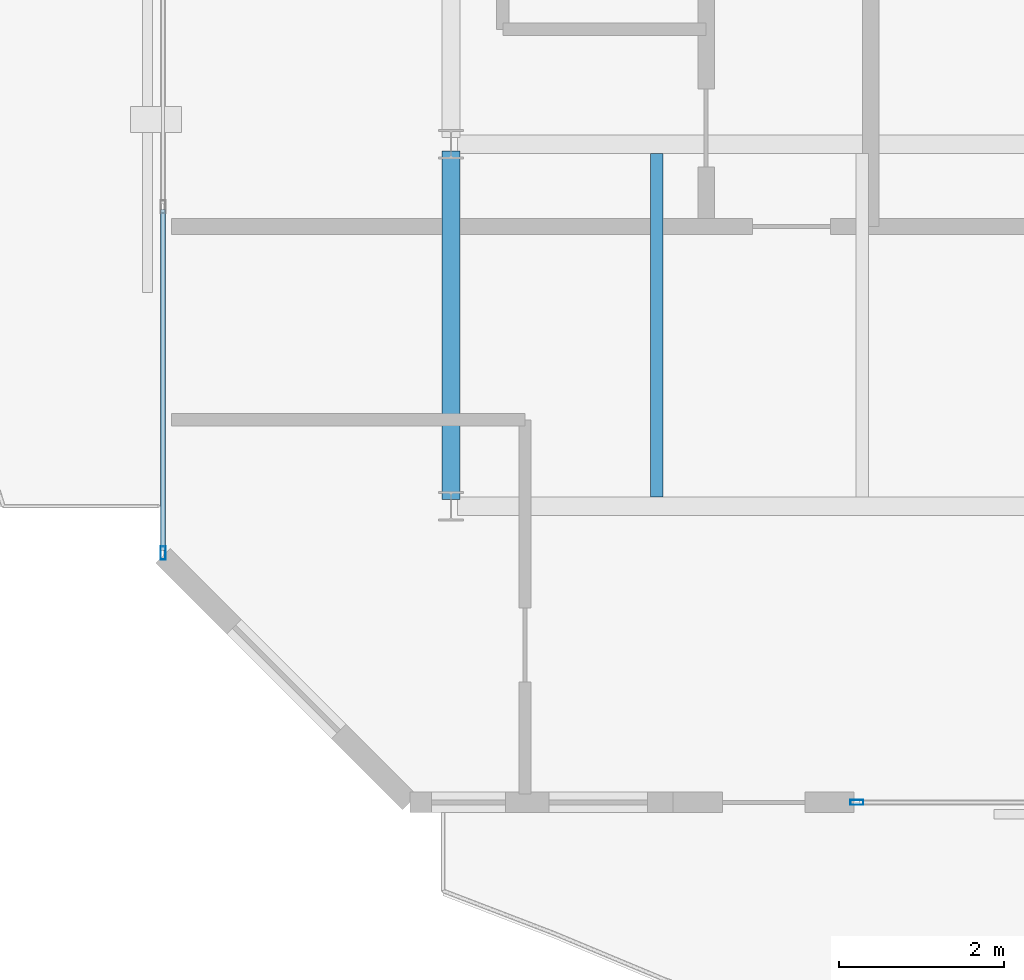
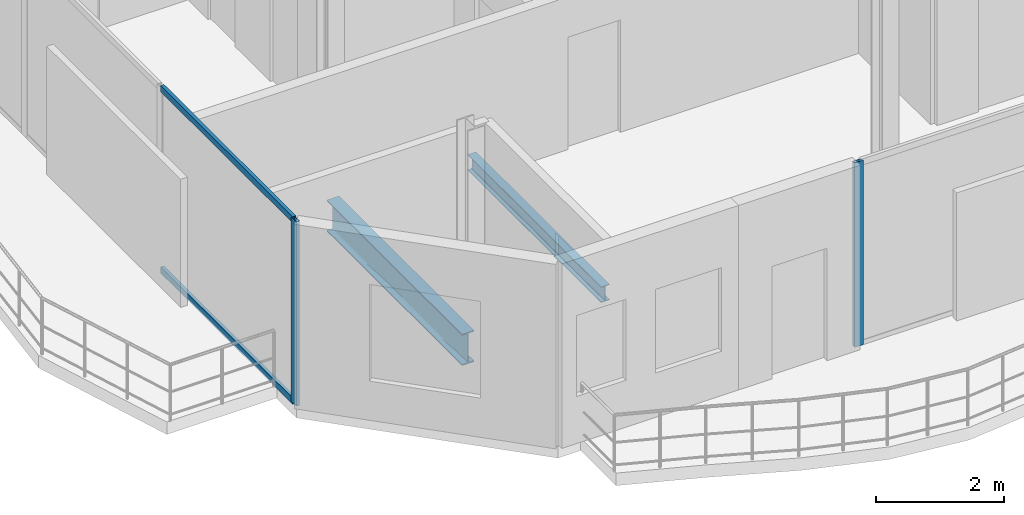
# One storey, part 3 of 22: 4 members, 2 beams, 2 elements without a shape of their own.
"""IFC4 building model written with IfcOpenShell, lengths in metres."""

from ifc_helpers import new_model, si_unit, direction, frame, origin, origin_2d, place, context, subcontext, project, spatial, hollow_rectangle, i_section, extrude, material, layer, layer_set, material_profile, profile_set, type_object, element, aggregate, save


model = new_model("IFC4")

# Units and contexts
model_context = context("Model", 3, precision=1e-05, world=origin(), true_north=direction((0.0, 1.0)))
body_context = subcontext(model_context, "Body", "Model", "MODEL_VIEW")
ifc_project = project(units=[si_unit("LENGTHUNIT", "METRE"), si_unit("AREAUNIT", "SQUARE_METRE"), si_unit("VOLUMEUNIT", "CUBIC_METRE"), si_unit("PLANEANGLEUNIT", "RADIAN"), si_unit("MASSUNIT", "GRAM", prefix="KILO")], contexts=[model_context])

# Site, building, storey
site_placement = place(None, origin())
site = spatial("IfcSite", under=ifc_project, at=site_placement, CompositionType="ELEMENT")
building_placement = place(site_placement, origin())
building = spatial("IfcBuilding", under=site, at=building_placement, Name="Catumbela Crestline Tower", CompositionType="ELEMENT")
storey_placement = place(building_placement, frame((0.0, 0.0, 222.2)))
storey = spatial("IfcBuildingStorey", under=building, at=storey_placement, Name="L57", CompositionType="ELEMENT", Elevation=222.2)

# Beams
ifc_material_1 = material(Name="Structural steel S355J2", Category="steel")
ifc_material_profile_1 = material_profile(ifc_material_1, i_section(OverallWidth=0.22, OverallDepth=0.6, WebThickness=0.012, FlangeThickness=0.019, FilletRadius=0.024, at=origin_2d()), Name="IPE 600")
ifc_profile_set_1 = profile_set([ifc_material_profile_1], Name="Structural steel S355J2")
beam_type_1 = type_object("IfcBeamType", Name="BG-IPE600", PredefinedType="BEAM", material=ifc_profile_set_1)
beam_1_placement = place(storey_placement, frame((8.5, 13.68, -0.56), z_axis=(0.0, 1.0, 0.0), x_axis=(-1.0, 0.0, 0.0)))
element("IfcBeam", 1, at=beam_1_placement, inside=storey, type_object=beam_type_1, Name="L57 Beam BM-L57-WNS31", PredefinedType="BEAM", context=body_context, shape_type="SweptSolid", body=[
    extrude(i_section(OverallWidth=0.22, OverallDepth=0.6, WebThickness=0.012, FlangeThickness=0.019, FilletRadius=0.024, at=origin_2d()), origin(), (0.0, 0.0, 1.0), 4.24),
])
ifc_material_profile_2 = material_profile(ifc_material_1, i_section(OverallWidth=0.15, OverallDepth=0.3, WebThickness=0.0071, FlangeThickness=0.0107, FilletRadius=0.015, at=origin_2d()), Name="IPE 300")
ifc_profile_set_2 = profile_set([ifc_material_profile_2], Name="Structural steel S355J2")
beam_type_2 = type_object("IfcBeamType", Name="BJ-IPE300", PredefinedType="JOIST", material=ifc_profile_set_2)
beam_2_placement = place(storey_placement, frame((11.0, 13.71, -0.41), z_axis=(0.0, 1.0, 0.0), x_axis=(-1.0, 0.0, 0.0)))
element("IfcBeam", 2, at=beam_2_placement, inside=storey, type_object=beam_type_2, Name="L57 Joist JS-L57-WG36", PredefinedType="JOIST", context=body_context, shape_type="SweptSolid", body=[
    extrude(i_section(OverallWidth=0.15, OverallDepth=0.3, WebThickness=0.0071, FlangeThickness=0.0107, FilletRadius=0.015, at=origin_2d()), origin(), (0.0, 0.0, 1.0), 4.18),
])

# Curtain wall, member
ifc_material_2 = material(Name="Aluminium alloy AW-6060-T66", Category="aluminium")
ifc_layer = layer(ifc_material_2, 0.18, Name="Aluminium alloy AW-6060-T66")
ifc_layer_set = layer_set([ifc_layer], Name="Aluminium alloy AW-6060-T66")
curtain_wall_type = type_object("IfcCurtainWallType", Name="CWU-Z4", PredefinedType="USERDEFINED", material=ifc_layer_set)
curtain_wall_1_placement = place(storey_placement, origin())
curtain_wall_1 = element("IfcCurtainWall", 3, at=curtain_wall_1_placement, inside=storey, type_object=curtain_wall_type, Name="L57 Unitised Curtain Wall CW-L57-E0S2", ObjectType="UNITISED", PredefinedType="USERDEFINED")
ifc_material_profile_3 = material_profile(ifc_material_2, hollow_rectangle(XDim=0.06, YDim=0.16, WallThickness=0.004, at=origin_2d()), Name="ALU 160x60x4")
ifc_profile_set_3 = profile_set([ifc_material_profile_3], Name="Aluminium alloy AW-6060-T66")
member_type_1 = type_object("IfcMemberType", Name="MUL-160X60", PredefinedType="MULLION", material=ifc_profile_set_3)
member_1_placement = place(storey_placement, frame((13.4325, 10.0, 0.0), z_axis=(0.0, 0.0, 1.0), x_axis=(0.0, 1.0, 0.0)))
member_1 = element("IfcMember", 4, at=member_1_placement, type_object=member_type_1, Name="CWU-Z4 mullion 1", PredefinedType="MULLION", context=body_context, shape_type="SweptSolid", body=[
    extrude(hollow_rectangle(XDim=0.06, YDim=0.16, WallThickness=0.004, at=origin_2d()), origin(), (0.0, 0.0, 1.0), 3.53),
])
aggregate(curtain_wall_1, [member_1])

# Curtain wall, members
curtain_wall_2_placement = place(storey_placement, origin())
curtain_wall_2 = element("IfcCurtainWall", 5, at=curtain_wall_2_placement, inside=storey, type_object=curtain_wall_type, Name="L57 Unitised Curtain Wall CW-L57-E9S2", ObjectType="UNITISED", PredefinedType="USERDEFINED")
member_2_placement = place(storey_placement, frame((5.0, 13.0325, 0.0), z_axis=(0.0, 0.0, 1.0), x_axis=(1.0, 0.0, 0.0)))
member_2 = element("IfcMember", 6, at=member_2_placement, type_object=member_type_1, Name="CWU-Z4 mullion 6", PredefinedType="MULLION", context=body_context, shape_type="SweptSolid", body=[
    extrude(hollow_rectangle(XDim=0.06, YDim=0.16, WallThickness=0.004, at=origin_2d()), origin(), (0.0, 0.0, 1.0), 3.53),
])
ifc_material_profile_4 = material_profile(ifc_material_2, hollow_rectangle(XDim=0.06, YDim=0.12, WallThickness=0.0035, at=origin_2d()), Name="ALU 120x60x3.5")
ifc_profile_set_4 = profile_set([ifc_material_profile_4], Name="Aluminium alloy AW-6060-T66")
member_type_2 = type_object("IfcMemberType", Name="TRN-120X60", PredefinedType="USERDEFINED", material=ifc_profile_set_4)
member_3_placement = place(storey_placement, frame((5.0, 17.2075, 0.03), z_axis=(0.0, -1.0, 0.0), x_axis=(1.0, 0.0, 0.0)))
member_3 = element("IfcMember", 7, at=member_3_placement, type_object=member_type_2, Name="CWU-Z4 transom 5.1", ObjectType="TRANSOM", PredefinedType="USERDEFINED", context=body_context, shape_type="SweptSolid", body=[
    extrude(hollow_rectangle(XDim=0.06, YDim=0.12, WallThickness=0.0035, at=origin_2d()), origin(), (0.0, 0.0, 1.0), 4.1425),
])
member_4_placement = place(storey_placement, frame((5.0, 17.2075, 3.5), z_axis=(0.0, -1.0, 0.0), x_axis=(1.0, 0.0, 0.0)))
member_4 = element("IfcMember", 8, at=member_4_placement, type_object=member_type_2, Name="CWU-Z4 transom 5.2", ObjectType="TRANSOM", PredefinedType="USERDEFINED", context=body_context, shape_type="SweptSolid", body=[
    extrude(hollow_rectangle(XDim=0.06, YDim=0.12, WallThickness=0.0035, at=origin_2d()), origin(), (0.0, 0.0, 1.0), 4.1425),
])
aggregate(curtain_wall_2, [member_2, member_3, member_4])

save(model, "model.ifc")
